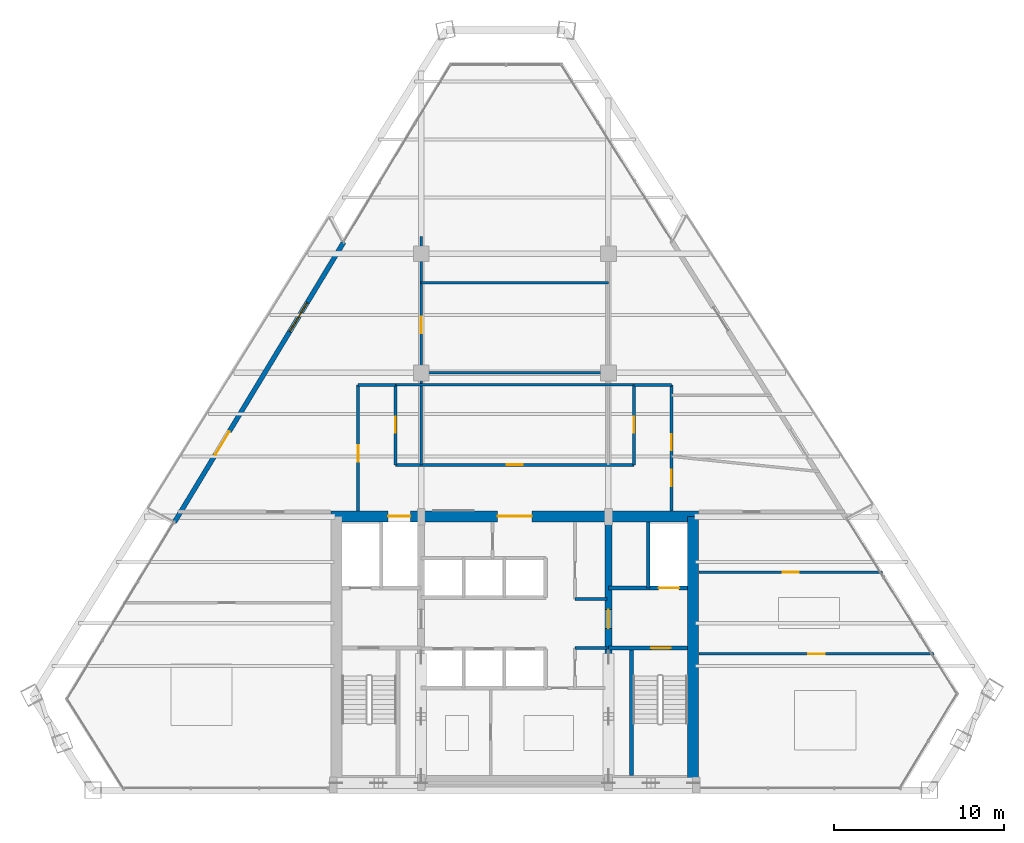
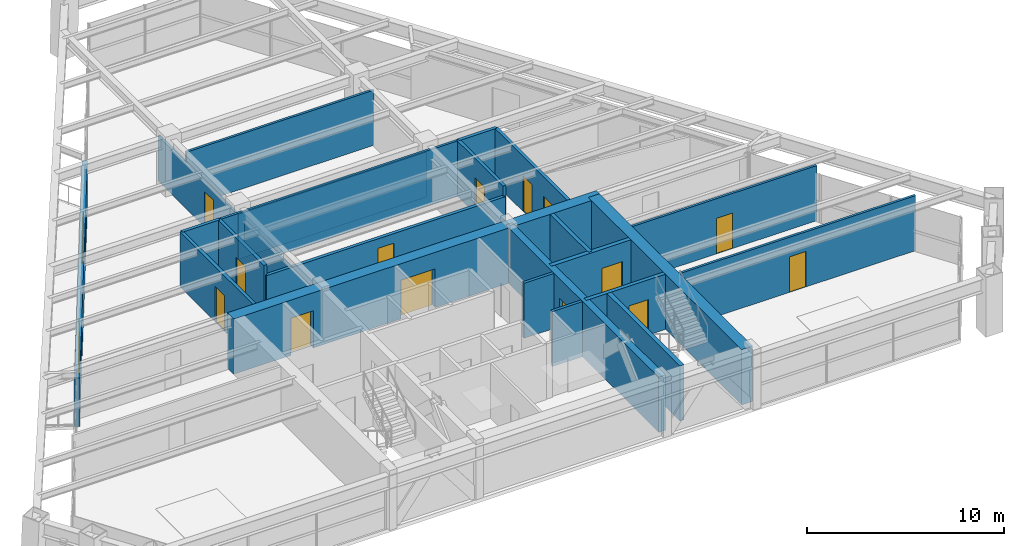
# One storey, part 9 of 12: 23 walls, 15 doors, 1 window, 16 openings.
"""IFC4 building model written with IfcOpenShell, lengths in metres."""

from ifc_helpers import new_model, si_unit, direction, frame, frame_2d, origin, place, context, subcontext, project, spatial, rectangle, extrude, source, transform, mapped, material, layer, layer_set, type_object, type_shapes, element, fill, save


model = new_model("IFC4")

# Units and contexts
model_context = context("Model", 3, precision=1e-05, world=origin(), true_north=direction((0.0, 1.0)))
body_context = subcontext(model_context, "Body", "Model", "MODEL_VIEW")
ifc_project = project(units=[si_unit("LENGTHUNIT", "METRE"), si_unit("AREAUNIT", "SQUARE_METRE"), si_unit("VOLUMEUNIT", "CUBIC_METRE"), si_unit("PLANEANGLEUNIT", "RADIAN"), si_unit("MASSUNIT", "GRAM", prefix="KILO")], contexts=[model_context])

# Site, building, storey
site_placement = place(None, origin())
site = spatial("IfcSite", under=ifc_project, at=site_placement, CompositionType="ELEMENT")
building_placement = place(site_placement, origin())
building = spatial("IfcBuilding", under=site, at=building_placement, Name="Varnakhor Terracotta Tower", CompositionType="ELEMENT")
storey_placement = place(building_placement, frame((0.0, 0.0, 211.699951171875)))
storey = spatial("IfcBuildingStorey", under=building, at=storey_placement, Name="L54", CompositionType="ELEMENT", Elevation=211.699951171875)

# Wall, openings, doors
ifc_material_1 = material(Name="Concrete C50/60", Category="concrete")
ifc_layer_1 = layer(ifc_material_1, 0.64990234375, Name="Concrete C50/60")
ifc_layer_set_1 = layer_set([ifc_layer_1], Name="Concrete C50/60")
wall_type_1 = type_object("IfcWallType", Name="WAL-CORE-650", PredefinedType="SHEAR", material=ifc_layer_set_1)
wall_1_placement = place(storey_placement, frame((-10.800048828125, 16.074951171875, 0.0), z_axis=(0.0, 0.0, 1.0), x_axis=(1.0, 0.0, 0.0)))
wall_1 = element("IfcWall", 1, at=wall_1_placement, inside=storey, type_object=wall_type_1, Name="L54 North Core Shear Wall", PredefinedType="SHEAR", context=body_context, shape_type="SweptSolid", body=[
    extrude(rectangle(XDim=21.60009765625, YDim=0.64990234375, at=frame_2d((10.800048828125, 0.0))), origin(), (0.0, 0.0, 1.0), 3.420166015625),
])
opening_1_placement = place(wall_1_placement, frame((3.3701171875, 0.0, 0.0)))
opening_1 = element("IfcOpeningElement", 2, at=opening_1_placement, cuts=wall_1, Name="Opening LD-03", PredefinedType="OPENING", context=body_context, shape_type="SweptSolid", body=[
    extrude(rectangle(XDim=1.300048828125, YDim=2.300048828125, at=frame_2d((0.64990234375, 1.14990234375))), frame((0.0, 0.3349609375, 0.0), z_axis=(0.0, -1.0, 0.0), x_axis=(1.0, 0.0, 0.0)), (0.0, 0.0, 1.0), 0.669921875),
])
opening_2_placement = place(wall_1_placement, frame((9.800048828125, 0.0, 0.0)))
opening_2 = element("IfcOpeningElement", 3, at=opening_2_placement, cuts=wall_1, Name="Opening DR-32", PredefinedType="OPENING", context=body_context, shape_type="SweptSolid", body=[
    extrude(rectangle(XDim=2.0, YDim=2.39990234375, at=frame_2d((1.0, 1.199951171875))), frame((0.0, 0.3349609375, 0.0), z_axis=(0.0, -1.0, 0.0), x_axis=(1.0, 0.0, 0.0)), (0.0, 0.0, 1.0), 0.669921875),
])
ifc_material_2 = material(Name="Heavy-Duty Goods Sliding Lift Landing Door", Category="steel")
door_type_1 = type_object("IfcDoorType", Name="LD-SRV-1300X2300", OperationType="NOTDEFINED", PredefinedType="DOOR", material=ifc_material_2)
shared_shape_1 = source(origin(), body_context, "Body", "SweptSolid", [
    extrude(rectangle(XDim=1.300048828125, YDim=2.300048828125, at=frame_2d((0.64990234375, 1.14990234375))), frame((0.0, 0.02490234375, 0.0), z_axis=(0.0, -1.0, 0.0), x_axis=(1.0, 0.0, 0.0)), (0.0, 0.0, 1.0), 0.050048828125),
])
type_shapes(door_type_1, [shared_shape_1])
door_1_placement = place(opening_1_placement, origin())
door_1 = element("IfcDoor", 4, at=door_1_placement, inside=storey, type_object=door_type_1, Name="L54 Service Lift SVL-1 Landing Door", OperationType="SLIDING_TO_RIGHT", OverallHeight=2.300048828125, OverallWidth=1.300048828125, PredefinedType="DOOR", context=body_context, shape_type="MappedRepresentation", body=[
    mapped(shared_shape_1, transform((0.0, 0.0, 0.0), scale=1.0)),
])
fill(opening_1, door_1)
ifc_material_3 = material(Name="Acoustic Double Assembly Fire Door", Category="wood")
door_type_2 = type_object("IfcDoorType", Name="DR-HALL-2000X2400", OperationType="NOTDEFINED", PredefinedType="DOOR", material=ifc_material_3)
shared_shape_2 = source(origin(), body_context, "Body", "SweptSolid", [
    extrude(rectangle(XDim=2.0, YDim=2.39990234375, at=frame_2d((1.0, 1.199951171875))), frame((0.0, 0.02490234375, 0.0), z_axis=(0.0, -1.0, 0.0), x_axis=(1.0, 0.0, 0.0)), (0.0, 0.0, 1.0), 0.050048828125),
])
type_shapes(door_type_2, [shared_shape_2])
door_2_placement = place(opening_2_placement, origin())
door_2 = element("IfcDoor", 5, at=door_2_placement, inside=storey, type_object=door_type_2, Name="L54 Core Main Lobby Double Door", OperationType="DOUBLE_DOOR_SINGLE_SWING", OverallHeight=2.39990234375, OverallWidth=2.0, PredefinedType="DOOR", context=body_context, shape_type="MappedRepresentation", body=[
    mapped(shared_shape_2, transform((0.0, 0.0, 0.0), scale=1.0)),
])
fill(opening_2, door_2)

# Wall
wall_2_placement = place(storey_placement, frame((10.47509765625, 0.52490234375, 0.0), z_axis=(0.0, 0.0, 1.0), x_axis=(0.0, 1.0, 0.0)))
element("IfcWall", 6, at=wall_2_placement, inside=storey, type_object=wall_type_1, Name="L54 East Core Shear Wall", PredefinedType="SHEAR", context=body_context, shape_type="SweptSolid", body=[
    extrude(rectangle(XDim=15.550048828125, YDim=0.64990234375, at=frame_2d((7.77490234375, 0.0))), origin(), (0.0, 0.0, 1.0), 3.420166015625),
])

# Wall, opening, door
ifc_layer_2 = layer(ifc_material_1, 0.39990234375, Name="Concrete C50/60")
ifc_layer_set_2 = layer_set([ifc_layer_2], Name="Concrete C50/60")
wall_type_2 = type_object("IfcWallType", Name="WAL-CORE-WEB-400", PredefinedType="SHEAR", material=ifc_layer_set_2)
wall_3_placement = place(storey_placement, frame((5.5, 0.52490234375, 0.0), z_axis=(0.0, 0.0, 1.0), x_axis=(0.0, 1.0, 0.0)))
wall_3 = element("IfcWall", 7, at=wall_3_placement, inside=storey, type_object=wall_type_2, Name="L54 East Core Web Shear Wall", PredefinedType="SHEAR", context=body_context, shape_type="SweptSolid", body=[
    extrude(rectangle(XDim=15.550048828125, YDim=0.39990234375, at=frame_2d((7.77490234375, 0.0))), origin(), (0.0, 0.0, 1.0), 3.420166015625),
])
opening_3_placement = place(wall_3_placement, frame((8.97509765625, 0.0, 0.0)))
opening_3 = element("IfcOpeningElement", 8, at=opening_3_placement, cuts=wall_3, Name="Opening DR-25", PredefinedType="OPENING", context=body_context, shape_type="SweptSolid", body=[
    extrude(rectangle(XDim=1.10009765625, YDim=2.199951171875, at=frame_2d((0.550048828125, 1.10009765625))), frame((0.0, 0.2099609375, 0.0), z_axis=(0.0, -1.0, 0.0), x_axis=(1.0, 0.0, 0.0)), (0.0, 0.0, 1.0), 0.419921875),
])
ifc_material_4 = material(Name="Firefighting Lobby Self-Closing Fire Door", Category="steel")
door_type_3 = type_object("IfcDoorType", Name="DR-FFL-1100X2200", OperationType="NOTDEFINED", PredefinedType="DOOR", material=ifc_material_4)
shared_shape_3 = source(origin(), body_context, "Body", "SweptSolid", [
    extrude(rectangle(XDim=1.10009765625, YDim=2.199951171875, at=frame_2d((0.550048828125, 1.10009765625))), frame((0.0, 0.02490234375, 0.0), z_axis=(0.0, -1.0, 0.0), x_axis=(1.0, 0.0, 0.0)), (0.0, 0.0, 1.0), 0.050048828125),
])
type_shapes(door_type_3, [shared_shape_3])
door_3_placement = place(opening_3_placement, origin())
door_3 = element("IfcDoor", 9, at=door_3_placement, inside=storey, type_object=door_type_3, Name="L54 East Firefighting Lobby Door", OperationType="SINGLE_SWING_RIGHT", OverallHeight=2.199951171875, OverallWidth=1.10009765625, PredefinedType="DOOR", context=body_context, shape_type="MappedRepresentation", body=[
    mapped(shared_shape_3, transform((0.0, 0.0, 0.0), scale=1.0)),
])
fill(opening_3, door_3)

ifc_material_5 = material(Name="Fire-Rated Gypsum Stud Partition", Category="gypsum")
ifc_layer_3 = layer(ifc_material_5, 0.18505859375, Name="Fire-Rated Gypsum Stud Partition")
ifc_layer_set_3 = layer_set([ifc_layer_3], Name="Fire-Rated Gypsum Stud Partition")
wall_type_3 = type_object("IfcWallType", Name="WAL-CORR-185", PredefinedType="PARTITIONING", material=ifc_layer_set_3)
wall_4_placement = place(storey_placement, frame((-7.0, 19.10009765625, 0.0), z_axis=(0.0, 0.0, 1.0), x_axis=(1.0, 0.0, 0.0)))
wall_4 = element("IfcWall", 10, at=wall_4_placement, inside=storey, type_object=wall_type_3, Name="L54 Central Gallery Link Wall", PredefinedType="PARTITIONING", context=body_context, shape_type="SweptSolid", body=[
    extrude(rectangle(XDim=14.0, YDim=0.18505859375, at=frame_2d((7.0, 0.0))), origin(), (0.0, 0.0, 1.0), 2.796142578125),
])
opening_4_placement = place(wall_4_placement, frame((6.52490234375, 0.0, 0.0)))
opening_4 = element("IfcOpeningElement", 11, at=opening_4_placement, cuts=wall_4, Name="Opening DR-94", PredefinedType="OPENING", context=body_context, shape_type="SweptSolid", body=[
    extrude(rectangle(XDim=0.949951171875, YDim=2.199951171875, at=frame_2d((0.47509765625, 1.10009765625))), frame((0.0, 0.1025390625, 0.0), z_axis=(0.0, -1.0, 0.0), x_axis=(1.0, 0.0, 0.0)), (0.0, 0.0, 1.0), 0.205078125),
])
ifc_material_6 = material(Name="Acoustic Glazed-Vision Timber Office Door", Category="wood")
door_type_4 = type_object("IfcDoorType", Name="DR-OFF-950X2200", OperationType="NOTDEFINED", PredefinedType="DOOR", material=ifc_material_6)
shared_shape_4 = source(origin(), body_context, "Body", "SweptSolid", [
    extrude(rectangle(XDim=0.949951171875, YDim=2.199951171875, at=frame_2d((0.47509765625, 1.10009765625))), frame((0.0, 0.02490234375, 0.0), z_axis=(0.0, -1.0, 0.0), x_axis=(1.0, 0.0, 0.0)), (0.0, 0.0, 1.0), 0.050048828125),
])
type_shapes(door_type_4, [shared_shape_4])
door_4_placement = place(opening_4_placement, origin())
door_4 = element("IfcDoor", 12, at=door_4_placement, inside=storey, type_object=door_type_4, Name="L54 Center Suite Door", OperationType="SINGLE_SWING_RIGHT", OverallHeight=2.199951171875, OverallWidth=0.949951171875, PredefinedType="DOOR", context=body_context, shape_type="MappedRepresentation", body=[
    mapped(shared_shape_4, transform((0.0, 0.0, 0.0), scale=1.0)),
])
fill(opening_4, door_4)

wall_5_placement = place(storey_placement, frame((-7.0, 19.10009765625, 0.0), z_axis=(0.0, 0.0, 1.0), x_axis=(0.0, 1.0, 0.0)))
wall_5 = element("IfcWall", 13, at=wall_5_placement, inside=storey, type_object=wall_type_3, Name="L54 West Gallery Inner Wall", PredefinedType="PARTITIONING", context=body_context, shape_type="SweptSolid", body=[
    extrude(rectangle(XDim=4.699951171875, YDim=0.18505859375, at=frame_2d((2.35009765625, 0.0))), origin(), (0.0, 0.0, 1.0), 3.412109375),
])
opening_5_placement = place(wall_5_placement, frame((1.875, 0.0, 0.0)))
opening_5 = element("IfcOpeningElement", 14, at=opening_5_placement, cuts=wall_5, Name="Opening DR-94", PredefinedType="OPENING", context=body_context, shape_type="SweptSolid", body=[
    extrude(rectangle(XDim=0.949951171875, YDim=2.199951171875, at=frame_2d((0.47509765625, 1.10009765625))), frame((0.0, 0.1025390625, 0.0), z_axis=(0.0, -1.0, 0.0), x_axis=(1.0, 0.0, 0.0)), (0.0, 0.0, 1.0), 0.205078125),
])
door_5_placement = place(opening_5_placement, origin())
door_5 = element("IfcDoor", 15, at=door_5_placement, inside=storey, type_object=door_type_4, Name="L54 Counsel Study Room B9 Door", OperationType="SINGLE_SWING_LEFT", OverallHeight=2.199951171875, OverallWidth=0.949951171875, PredefinedType="DOOR", context=body_context, shape_type="MappedRepresentation", body=[
    mapped(shared_shape_4, transform((0.0, 0.0, 0.0), scale=1.0)),
])
fill(opening_5, door_5)

wall_6_placement = place(storey_placement, frame((7.0, 19.10009765625, 0.0), z_axis=(0.0, 0.0, 1.0), x_axis=(0.0, 1.0, 0.0)))
wall_6 = element("IfcWall", 16, at=wall_6_placement, inside=storey, type_object=wall_type_3, Name="L54 East Gallery Inner Wall", PredefinedType="PARTITIONING", context=body_context, shape_type="SweptSolid", body=[
    extrude(rectangle(XDim=4.699951171875, YDim=0.18505859375, at=frame_2d((2.35009765625, 0.0))), origin(), (0.0, 0.0, 1.0), 3.412109375),
])
opening_6_placement = place(wall_6_placement, frame((1.875, 0.0, 0.0)))
opening_6 = element("IfcOpeningElement", 17, at=opening_6_placement, cuts=wall_6, Name="Opening DR-94", PredefinedType="OPENING", context=body_context, shape_type="SweptSolid", body=[
    extrude(rectangle(XDim=0.949951171875, YDim=2.199951171875, at=frame_2d((0.47509765625, 1.10009765625))), frame((0.0, 0.1025390625, 0.0), z_axis=(0.0, -1.0, 0.0), x_axis=(1.0, 0.0, 0.0)), (0.0, 0.0, 1.0), 0.205078125),
])
door_6_placement = place(opening_6_placement, origin())
door_6 = element("IfcDoor", 18, at=door_6_placement, inside=storey, type_object=door_type_4, Name="L54 Arbitration Meeting Room 2 B11 Door", OperationType="SINGLE_SWING_RIGHT", OverallHeight=2.199951171875, OverallWidth=0.949951171875, PredefinedType="DOOR", context=body_context, shape_type="MappedRepresentation", body=[
    mapped(shared_shape_4, transform((0.0, 0.0, 0.0), scale=1.0)),
])
fill(opening_6, door_6)

wall_7_placement = place(storey_placement, frame((-9.199951171875, 16.39990234375, 0.0), z_axis=(0.0, 0.0, 1.0), x_axis=(0.0, 1.0, 0.0)))
wall_7 = element("IfcWall", 19, at=wall_7_placement, inside=storey, type_object=wall_type_3, Name="L54 West Gallery Outer Wall", PredefinedType="PARTITIONING", context=body_context, shape_type="SweptSolid", body=[
    extrude(rectangle(XDim=7.400146484375, YDim=0.18505859375, at=frame_2d((3.7001953125, 0.0))), origin(), (0.0, 0.0, 1.0), 3.412109375),
])
opening_7_placement = place(wall_7_placement, frame((2.888916015625, 0.0, 0.0)))
opening_7 = element("IfcOpeningElement", 20, at=opening_7_placement, cuts=wall_7, Name="Opening DR-94", PredefinedType="OPENING", context=body_context, shape_type="SweptSolid", body=[
    extrude(rectangle(XDim=0.949951171875, YDim=2.199951171875, at=frame_2d((0.47509765625, 1.10009765625))), frame((0.0, 0.1025390625, 0.0), z_axis=(0.0, -1.0, 0.0), x_axis=(1.0, 0.0, 0.0)), (0.0, 0.0, 1.0), 0.205078125),
])
door_7_placement = place(opening_7_placement, origin())
door_7 = element("IfcDoor", 21, at=door_7_placement, inside=storey, type_object=door_type_4, Name="L54 West Wing Door", OperationType="SINGLE_SWING_LEFT", OverallHeight=2.199951171875, OverallWidth=0.949951171875, PredefinedType="DOOR", context=body_context, shape_type="MappedRepresentation", body=[
    mapped(shared_shape_4, transform((0.0, 0.0, 0.0), scale=1.0)),
])
fill(opening_7, door_7)

# Wall, openings, doors
wall_8_placement = place(storey_placement, frame((9.199951171875, 16.39990234375, 0.0), z_axis=(0.0, 0.0, 1.0), x_axis=(0.0, 1.0, 0.0)))
wall_8 = element("IfcWall", 22, at=wall_8_placement, inside=storey, type_object=wall_type_3, Name="L54 East Gallery Outer Wall", PredefinedType="PARTITIONING", context=body_context, shape_type="SweptSolid", body=[
    extrude(rectangle(XDim=7.400146484375, YDim=0.18505859375, at=frame_2d((3.7001953125, 0.0))), origin(), (0.0, 0.0, 1.0), 3.412109375),
])
opening_8_placement = place(wall_8_placement, frame((3.56103515625, 0.0, 0.0)))
opening_8 = element("IfcOpeningElement", 23, at=opening_8_placement, cuts=wall_8, Name="Opening DR-94", PredefinedType="OPENING", context=body_context, shape_type="SweptSolid", body=[
    extrude(rectangle(XDim=0.949951171875, YDim=2.199951171875, at=frame_2d((0.47509765625, 1.10009765625))), frame((0.0, 0.1025390625, 0.0), z_axis=(0.0, -1.0, 0.0), x_axis=(1.0, 0.0, 0.0)), (0.0, 0.0, 1.0), 0.205078125),
])
opening_9_placement = place(wall_8_placement, frame((1.456787109375, 0.0, 0.0)))
opening_9 = element("IfcOpeningElement", 24, at=opening_9_placement, cuts=wall_8, Name="Opening DR-94", PredefinedType="OPENING", context=body_context, shape_type="SweptSolid", body=[
    extrude(rectangle(XDim=0.949951171875, YDim=2.199951171875, at=frame_2d((0.47509765625, 1.10009765625))), frame((0.0, 0.1025390625, 0.0), z_axis=(0.0, -1.0, 0.0), x_axis=(1.0, 0.0, 0.0)), (0.0, 0.0, 1.0), 0.205078125),
])
door_8_placement = place(opening_8_placement, origin())
door_8 = element("IfcDoor", 25, at=door_8_placement, inside=storey, type_object=door_type_4, Name="L54 East Wing Door", OperationType="SINGLE_SWING_RIGHT", OverallHeight=2.199951171875, OverallWidth=0.949951171875, PredefinedType="DOOR", context=body_context, shape_type="MappedRepresentation", body=[
    mapped(shared_shape_4, transform((0.0, 0.0, 0.0), scale=1.0)),
])
fill(opening_8, door_8)
door_9_placement = place(opening_9_placement, origin())
door_9 = element("IfcDoor", 26, at=door_9_placement, inside=storey, type_object=door_type_4, Name="L54 Wellness Gym B6 Door", OperationType="SINGLE_SWING_RIGHT", OverallHeight=2.199951171875, OverallWidth=0.949951171875, PredefinedType="DOOR", context=body_context, shape_type="MappedRepresentation", body=[
    mapped(shared_shape_4, transform((0.0, 0.0, 0.0), scale=1.0)),
])
fill(opening_9, door_9)

# Walls
for number, where, z_axis, x_axis, name in (
    (27, (-9.199951171875, 23.800048828125, 0.0), (0.0, 0.0, 1.0), (1.0, 0.0, 0.0), "L54 West Gallery North End"),
    (28, (7.0, 23.800048828125, 0.0), (0.0, 0.0, 1.0), (1.0, 0.0, 0.0), "L54 East Gallery North End"),
):
    element("IfcWall", number, at=place(storey_placement, frame(where, z_axis=z_axis, x_axis=x_axis)), inside=storey, type_object=wall_type_3, Name=name, PredefinedType="PARTITIONING", context=body_context, shape_type="SweptSolid", body=[
        extrude(rectangle(XDim=2.199951171875, YDim=0.18505859375, at=frame_2d((1.10009765625, 0.0))), origin(), (0.0, 0.0, 1.0), 3.412109375),
    ])

# Wall, openings, door, window
ifc_material_7 = material(Name="Extruded Architectural Terracotta Assembly", Category="masonry")
ifc_layer_4 = layer(ifc_material_7, 0.280029296875, Name="Extruded Architectural Terracotta Assembly")
ifc_layer_set_4 = layer_set([ifc_layer_4], Name="Extruded Architectural Terracotta Assembly")
wall_type_4 = type_object("IfcWallType", Name="WAL-EXT-TERRACOTTA-280", PredefinedType="SOLIDWALL", material=ifc_layer_set_4)
wall_9_placement = place(storey_placement, frame((-19.976318359375, 15.744384765625, 0.0), z_axis=(0.0, 0.0, 1.0), x_axis=(0.517464575924, 0.855704629334, 0.0)))
wall_9 = element("IfcWall", 29, at=wall_9_placement, inside=storey, type_object=wall_type_4, Name="L54 W Loggia Insulated Terracotta Wall", PredefinedType="SOLIDWALL", context=body_context, shape_type="SweptSolid", body=[
    extrude(rectangle(XDim=19.20849609375, YDim=0.280029296875, at=frame_2d((9.604248046875, 0.0))), origin(), (0.0, 0.0, 1.0), 3.0),
])
opening_10_placement = place(wall_9_placement, frame((4.610107421875, 0.0, 0.0)))
opening_10 = element("IfcOpeningElement", 30, at=opening_10_placement, cuts=wall_9, Name="Opening DR-62", PredefinedType="OPENING", context=body_context, shape_type="SweptSolid", body=[
    extrude(rectangle(XDim=1.60009765625, YDim=2.35009765625, at=frame_2d((0.800048828125, 1.175048828125))), frame((0.0, 0.14990234375, 0.0), z_axis=(0.0, -1.0, 0.0), x_axis=(1.0, 0.0, 0.0)), (0.0, 0.0, 1.0), 0.300048828125),
])
opening_11_placement = place(wall_9_placement, frame((13.061767578125, 0.0, 0.89990234375)))
opening_11 = element("IfcOpeningElement", 31, at=opening_11_placement, cuts=wall_9, Name="Opening WN-26", PredefinedType="OPENING", context=body_context, shape_type="SweptSolid", body=[
    extrude(rectangle(XDim=2.0, YDim=1.85009765625, at=frame_2d((1.0, 0.925048828125))), frame((0.0, 0.14990234375, 0.0), z_axis=(0.0, -1.0, 0.0), x_axis=(1.0, 0.0, 0.0)), (0.0, 0.0, 1.0), 0.300048828125),
])
ifc_material_8 = material(Name="Thermally Broken Sliding Glass Loggia Door", Category="glass")
door_type_5 = type_object("IfcDoorType", Name="DR-EXT-LOGGIA-1600X2350", OperationType="NOTDEFINED", PredefinedType="DOOR", material=ifc_material_8)
shared_shape_5 = source(origin(), body_context, "Body", "SweptSolid", [
    extrude(rectangle(XDim=1.60009765625, YDim=2.35009765625, at=frame_2d((0.800048828125, 1.175048828125))), frame((0.0, 0.02490234375, 0.0), z_axis=(0.0, -1.0, 0.0), x_axis=(1.0, 0.0, 0.0)), (0.0, 0.0, 1.0), 0.050048828125),
])
type_shapes(door_type_5, [shared_shape_5])
door_10_placement = place(opening_10_placement, origin())
door_10 = element("IfcDoor", 32, at=door_10_placement, inside=storey, type_object=door_type_5, Name="L54 W Recessed Loggia Sliding Door", OperationType="SLIDING_TO_LEFT", OverallHeight=2.35009765625, OverallWidth=1.60009765625, PredefinedType="DOOR", context=body_context, shape_type="MappedRepresentation", body=[
    mapped(shared_shape_5, transform((0.0, 0.0, 0.0), scale=1.0)),
])
fill(opening_10, door_10)
ifc_material_9 = material(Name="Solar-Control Low-E Insulated Glass Unit", Category="glass")
window_type = type_object("IfcWindowType", Name="WIN-OFF-2200X2100", PartitioningType="SINGLE_PANEL", PredefinedType="WINDOW", material=ifc_material_9)
shared_shape_6 = source(origin(), body_context, "Body", "SweptSolid", [
    extrude(rectangle(XDim=2.0, YDim=1.85009765625, at=frame_2d((1.0, 0.925048828125))), frame((0.0, 0.030029296875, 0.0), z_axis=(0.0, -1.0, 0.0), x_axis=(1.0, 0.0, 0.0)), (0.0, 0.0, 1.0), 0.06005859375),
])
type_shapes(window_type, [shared_shape_6])
window_placement = place(opening_11_placement, origin())
window = element("IfcWindow", 33, at=window_placement, inside=storey, type_object=window_type, Name="L54 W Facet Punched Window", OverallHeight=1.85009765625, OverallWidth=2.0, PartitioningType="SINGLE_PANEL", PredefinedType="WINDOW", context=body_context, shape_type="MappedRepresentation", body=[
    mapped(shared_shape_6, transform((0.0, 0.0, 0.0), scale=1.0)),
])
fill(opening_11, window)

# Wall, opening, door
ifc_material_10 = material(Name="Concrete C40/50", Category="concrete")
ifc_layer_5 = layer(ifc_material_10, 0.219970703125, Name="Concrete C40/50")
ifc_layer_set_5 = layer_set([ifc_layer_5], Name="Concrete C40/50")
wall_type_5 = type_object("IfcWallType", Name="WAL-FFLOBBY-220", PredefinedType="SOLIDWALL", material=ifc_layer_set_5)
wall_10_placement = place(storey_placement, frame((10.14990234375, 8.35009765625, 0.0), z_axis=(0.0, 0.0, 1.0), x_axis=(-1.0, 0.0, 0.0)))
wall_10 = element("IfcWall", 34, at=wall_10_placement, inside=storey, type_object=wall_type_5, Name="L54 East Firefighting Lobby Stair Wall", PredefinedType="SOLIDWALL", context=body_context, shape_type="SweptSolid", body=[
    extrude(rectangle(XDim=4.64990234375, YDim=0.219970703125, at=frame_2d((2.324951171875, 0.0))), origin(), (0.0, 0.0, 1.0), 3.420166015625),
])
opening_12_placement = place(wall_10_placement, frame((1.0, 0.0, 0.0)))
opening_12 = element("IfcOpeningElement", 35, at=opening_12_placement, cuts=wall_10, Name="Opening DR-34", PredefinedType="OPENING", context=body_context, shape_type="SweptSolid", body=[
    extrude(rectangle(XDim=1.14990234375, YDim=2.199951171875, at=frame_2d((0.574951171875, 1.10009765625))), frame((0.0, 0.1201171875, 0.0), z_axis=(0.0, -1.0, 0.0), x_axis=(1.0, 0.0, 0.0)), (0.0, 0.0, 1.0), 0.239990234375),
])
ifc_material_11 = material(Name="Self-Closing Smoke-Sealed Steel Fire Door", Category="steel")
door_type_6 = type_object("IfcDoorType", Name="DR-STAIR-1150X2200", OperationType="NOTDEFINED", PredefinedType="DOOR", material=ifc_material_11)
shared_shape_7 = source(origin(), body_context, "Body", "SweptSolid", [
    extrude(rectangle(XDim=1.14990234375, YDim=2.199951171875, at=frame_2d((0.574951171875, 1.10009765625))), frame((0.0, 0.02490234375, 0.0), z_axis=(0.0, -1.0, 0.0), x_axis=(1.0, 0.0, 0.0)), (0.0, 0.0, 1.0), 0.050048828125),
])
type_shapes(door_type_6, [shared_shape_7])
door_11_placement = place(opening_12_placement, origin())
door_11 = element("IfcDoor", 36, at=door_11_placement, inside=storey, type_object=door_type_6, Name="L54 Exit Stair ST-2 Fire Door", OperationType="SINGLE_SWING_LEFT", OverallHeight=2.199951171875, OverallWidth=1.14990234375, PredefinedType="DOOR", context=body_context, shape_type="MappedRepresentation", body=[
    mapped(shared_shape_7, transform((0.0, 0.0, 0.0), scale=1.0)),
])
fill(opening_12, door_11)

# Wall
ifc_material_12 = material(Name="Acoustic Metal-Stud Partition", Category="gypsum")
ifc_layer_6 = layer(ifc_material_12, 0.139892578125, Name="Acoustic Metal-Stud Partition")
ifc_layer_set_6 = layer_set([ifc_layer_6], Name="Acoustic Metal-Stud Partition")
wall_type_6 = type_object("IfcWallType", Name="WAL-PART-140", PredefinedType="PARTITIONING", material=ifc_layer_set_6)
wall_11_placement = place(storey_placement, frame((-7.0, 23.800048828125, 0.0), z_axis=(0.0, 0.0, 1.0), x_axis=(1.0, 0.0, 0.0)))
element("IfcWall", 37, at=wall_11_placement, inside=storey, type_object=wall_type_6, Name="L54 Gallery Center Cap Wall", PredefinedType="PARTITIONING", context=body_context, shape_type="SweptSolid", body=[
    extrude(rectangle(XDim=14.0, YDim=0.139892578125, at=frame_2d((7.0, 0.0))), origin(), (0.0, 0.0, 1.0), 3.412109375),
])

# Wall, opening, door
wall_12_placement = place(storey_placement, frame((-5.5, 19.10009765625, 0.0), z_axis=(0.0, 0.0, 1.0), x_axis=(0.0, 1.0, 0.0)))
wall_12 = element("IfcWall", 38, at=wall_12_placement, inside=storey, type_object=wall_type_6, Name="L54 Center West Column Wall", PredefinedType="PARTITIONING", context=body_context, shape_type="SweptSolid", body=[
    extrude(rectangle(XDim=13.39990234375, YDim=0.139892578125, at=frame_2d((6.699951171875, 0.0))), origin(), (0.0, 0.0, 1.0), 2.796142578125),
])
opening_13_placement = place(wall_12_placement, frame((7.736083984375, 0.0, 0.0)))
opening_13 = element("IfcOpeningElement", 39, at=opening_13_placement, cuts=wall_12, Name="Opening DR-94", PredefinedType="OPENING", context=body_context, shape_type="SweptSolid", body=[
    extrude(rectangle(XDim=0.949951171875, YDim=2.199951171875, at=frame_2d((0.47509765625, 1.10009765625))), frame((0.0, 0.080078125, 0.0), z_axis=(0.0, -1.0, 0.0), x_axis=(1.0, 0.0, 0.0)), (0.0, 0.0, 1.0), 0.159912109375),
])
door_12_placement = place(opening_13_placement, origin())
door_12 = element("IfcDoor", 40, at=door_12_placement, inside=storey, type_object=door_type_4, Name="L54 Visitor Reception Door", OperationType="SINGLE_SWING_LEFT", OverallHeight=2.199951171875, OverallWidth=0.949951171875, PredefinedType="DOOR", context=body_context, shape_type="MappedRepresentation", body=[
    mapped(shared_shape_4, transform((0.0, 0.0, 0.0), scale=1.0)),
])
fill(opening_13, door_12)

# Walls
wall_13_placement = place(storey_placement, frame((-5.5, 24.5, 0.0), z_axis=(0.0, 0.0, 1.0), x_axis=(1.0, 0.0, 0.0)))
element("IfcWall", 41, at=wall_13_placement, inside=storey, type_object=wall_type_6, Name="L54 Center Cross Cut 1", PredefinedType="PARTITIONING", context=body_context, shape_type="SweptSolid", body=[
    extrude(rectangle(XDim=11.0, YDim=0.139892578125, at=frame_2d((5.5, 0.0))), origin(), (0.0, 0.0, 1.0), 2.796142578125),
])
wall_14_placement = place(storey_placement, frame((-5.5, 29.800048828125, 0.0), z_axis=(0.0, 0.0, 1.0), x_axis=(1.0, 0.0, 0.0)))
element("IfcWall", 42, at=wall_14_placement, inside=storey, type_object=wall_type_6, Name="L54 Center Cross Cut 2", PredefinedType="PARTITIONING", context=body_context, shape_type="SweptSolid", body=[
    extrude(rectangle(XDim=11.0, YDim=0.139892578125, at=frame_2d((5.5, 0.0))), origin(), (0.0, 0.0, 1.0), 3.412109375),
])

# Wall, opening, door
wall_15_placement = place(storey_placement, frame((10.820068359375, 8.0, 0.0), z_axis=(0.0, 0.0, 1.0), x_axis=(1.0, 0.0, 0.0)))
wall_15 = element("IfcWall", 43, at=wall_15_placement, inside=storey, type_object=wall_type_6, Name="L54 East Wing Cut 1", PredefinedType="PARTITIONING", context=body_context, shape_type="SweptSolid", body=[
    extrude(rectangle(XDim=13.799072265625, YDim=0.139892578125, at=frame_2d((6.8994140625, 0.0))), origin(), (0.0, 0.0, 1.0), 3.412109375),
])
opening_14_placement = place(wall_15_placement, frame((6.41748046875, 0.0, 0.0)))
opening_14 = element("IfcOpeningElement", 44, at=opening_14_placement, cuts=wall_15, Name="Opening DR-94", PredefinedType="OPENING", context=body_context, shape_type="SweptSolid", body=[
    extrude(rectangle(XDim=0.949951171875, YDim=2.199951171875, at=frame_2d((0.47509765625, 1.10009765625))), frame((0.0, 0.080078125, 0.0), z_axis=(0.0, -1.0, 0.0), x_axis=(1.0, 0.0, 0.0)), (0.0, 0.0, 1.0), 0.159912109375),
])
door_13_placement = place(opening_14_placement, origin())
door_13 = element("IfcDoor", 45, at=door_13_placement, inside=storey, type_object=door_type_4, Name="L54 Training Meeting Room 1 SE Door", OperationType="SINGLE_SWING_LEFT", OverallHeight=2.199951171875, OverallWidth=0.949951171875, PredefinedType="DOOR", context=body_context, shape_type="MappedRepresentation", body=[
    mapped(shared_shape_4, transform((0.0, 0.0, 0.0), scale=1.0)),
])
fill(opening_14, door_13)

wall_16_placement = place(storey_placement, frame((10.820068359375, 12.800048828125, 0.0), z_axis=(0.0, 0.0, 1.0), x_axis=(1.0, 0.0, 0.0)))
wall_16 = element("IfcWall", 46, at=wall_16_placement, inside=storey, type_object=wall_type_6, Name="L54 East Wing Cut 2", PredefinedType="PARTITIONING", context=body_context, shape_type="SweptSolid", body=[
    extrude(rectangle(XDim=10.781005859375, YDim=0.139892578125, at=frame_2d((5.390625, 0.0))), origin(), (0.0, 0.0, 1.0), 3.412109375),
])
opening_15_placement = place(wall_16_placement, frame((4.908447265625, 0.0, 0.0)))
opening_15 = element("IfcOpeningElement", 47, at=opening_15_placement, cuts=wall_16, Name="Opening DR-94", PredefinedType="OPENING", context=body_context, shape_type="SweptSolid", body=[
    extrude(rectangle(XDim=0.949951171875, YDim=2.199951171875, at=frame_2d((0.47509765625, 1.10009765625))), frame((0.0, 0.080078125, 0.0), z_axis=(0.0, -1.0, 0.0), x_axis=(1.0, 0.0, 0.0)), (0.0, 0.0, 1.0), 0.159912109375),
])
door_14_placement = place(opening_15_placement, origin())
door_14 = element("IfcDoor", 48, at=door_14_placement, inside=storey, type_object=door_type_4, Name="L54 Pantry Kitchen 1 B3 Door", OperationType="SINGLE_SWING_RIGHT", OverallHeight=2.199951171875, OverallWidth=0.949951171875, PredefinedType="DOOR", context=body_context, shape_type="MappedRepresentation", body=[
    mapped(shared_shape_4, transform((0.0, 0.0, 0.0), scale=1.0)),
])
fill(opening_15, door_14)

# Walls
ifc_layer_7 = layer(ifc_material_10, 0.219970703125, Name="Concrete C40/50")
ifc_layer_set_7 = layer_set([ifc_layer_7], Name="Concrete C40/50")
wall_type_7 = type_object("IfcWallType", Name="WAL-SHAFT-220", PredefinedType="SOLIDWALL", material=ifc_layer_set_7)
wall_17_placement = place(storey_placement, frame((7.840087890625, 11.8701171875, 0.0), z_axis=(0.0, 0.0, 1.0), x_axis=(0.0, 1.0, 0.0)))
element("IfcWall", 49, at=wall_17_placement, inside=storey, type_object=wall_type_7, Name="L54 Lift FFL-2 and Riser Divider Wall", PredefinedType="SOLIDWALL", context=body_context, shape_type="SweptSolid", body=[
    extrude(rectangle(XDim=3.8798828125, YDim=0.219970703125, at=frame_2d((1.93994140625, 0.0))), origin(), (0.0, 0.0, 1.0), 3.420166015625),
])
ifc_layer_8 = layer(ifc_material_10, 0.25, Name="Concrete C40/50")
ifc_layer_set_8 = layer_set([ifc_layer_8], Name="Concrete C40/50")
wall_type_8 = type_object("IfcWallType", Name="WAL-SHAFT-250", PredefinedType="SOLIDWALL", material=ifc_layer_set_8)
wall_18_placement = place(storey_placement, frame((6.85009765625, 0.85009765625, 0.0), z_axis=(0.0, 0.0, 1.0), x_axis=(0.0, 1.0, 0.0)))
element("IfcWall", 50, at=wall_18_placement, inside=storey, type_object=wall_type_8, Name="L54 Stair ST-2 Bearing Shaft Wall", PredefinedType="SOLIDWALL", context=body_context, shape_type="SweptSolid", body=[
    extrude(rectangle(XDim=7.5, YDim=0.25, at=frame_2d((3.75, 0.0))), origin(), (0.0, 0.0, 1.0), 3.420166015625),
])

# Wall, opening, door
wall_19_placement = place(storey_placement, frame((10.14990234375, 11.8701171875, 0.0), z_axis=(0.0, 0.0, 1.0), x_axis=(-1.0, 0.0, 0.0)))
wall_19 = element("IfcWall", 51, at=wall_19_placement, inside=storey, type_object=wall_type_8, Name="L54 Lift FFL-2 Shaft Front Wall", PredefinedType="SOLIDWALL", context=body_context, shape_type="SweptSolid", body=[
    extrude(rectangle(XDim=4.64990234375, YDim=0.25, at=frame_2d((2.324951171875, 0.0))), origin(), (0.0, 0.0, 1.0), 3.420166015625),
])
opening_16_placement = place(wall_19_placement, frame((0.5, 0.0, 0.0)))
opening_16 = element("IfcOpeningElement", 52, at=opening_16_placement, cuts=wall_19, Name="Opening LD-02", PredefinedType="OPENING", context=body_context, shape_type="SweptSolid", body=[
    extrude(rectangle(XDim=1.199951171875, YDim=2.25, at=frame_2d((0.60009765625, 1.125))), frame((0.0, 0.135009765625, 0.0), z_axis=(0.0, -1.0, 0.0), x_axis=(1.0, 0.0, 0.0)), (0.0, 0.0, 1.0), 0.27001953125),
])
ifc_material_13 = material(Name="Firefighting Stretcher Sliding Lift Landing Door", Category="steel")
door_type_7 = type_object("IfcDoorType", Name="LD-FFL-1200X2250", OperationType="NOTDEFINED", PredefinedType="DOOR", material=ifc_material_13)
shared_shape_8 = source(origin(), body_context, "Body", "SweptSolid", [
    extrude(rectangle(XDim=1.199951171875, YDim=2.25, at=frame_2d((0.60009765625, 1.125))), frame((0.0, 0.02490234375, 0.0), z_axis=(0.0, -1.0, 0.0), x_axis=(1.0, 0.0, 0.0)), (0.0, 0.0, 1.0), 0.050048828125),
])
type_shapes(door_type_7, [shared_shape_8])
door_15_placement = place(opening_16_placement, origin())
door_15 = element("IfcDoor", 53, at=door_15_placement, inside=storey, type_object=door_type_7, Name="L54 Firefighting Lift FFL-2 Landing Door", OperationType="SLIDING_TO_RIGHT", OverallHeight=2.25, OverallWidth=1.199951171875, PredefinedType="DOOR", context=body_context, shape_type="MappedRepresentation", body=[
    mapped(shared_shape_8, transform((0.0, 0.0, 0.0), scale=1.0)),
])
fill(opening_16, door_15)

# Walls
ifc_material_14 = material(Name="Acoustic Fire-Rated Partition", Category="gypsum")
ifc_layer_9 = layer(ifc_material_14, 0.1650390625, Name="Acoustic Fire-Rated Partition")
ifc_layer_set_9 = layer_set([ifc_layer_9], Name="Acoustic Fire-Rated Partition")
wall_type_9 = type_object("IfcWallType", Name="WAL-TENANCY-165", PredefinedType="PARTITIONING", material=ifc_layer_set_9)
for number, where, z_axis, x_axis, name in (
    (54, (3.5400390625, 8.340087890625, 0.0), (0.0, 0.0, 1.0), (1.0, 0.0, 0.0), "L54 Accessible WC North Wall"),
    (55, (3.5400390625, 11.219970703125, 0.0), (0.0, 0.0, 1.0), (1.0, 0.0, 0.0), "L54 Restroom South Wall"),
):
    element("IfcWall", number, at=place(storey_placement, frame(where, z_axis=z_axis, x_axis=x_axis)), inside=storey, type_object=wall_type_9, Name=name, PredefinedType="PARTITIONING", context=body_context, shape_type="SweptSolid", body=[
        extrude(rectangle(XDim=1.8798828125, YDim=0.1650390625, at=frame_2d((0.93994140625, 0.0))), origin(), (0.0, 0.0, 1.0), 3.412109375),
    ])

save(model, "model.ifc")
